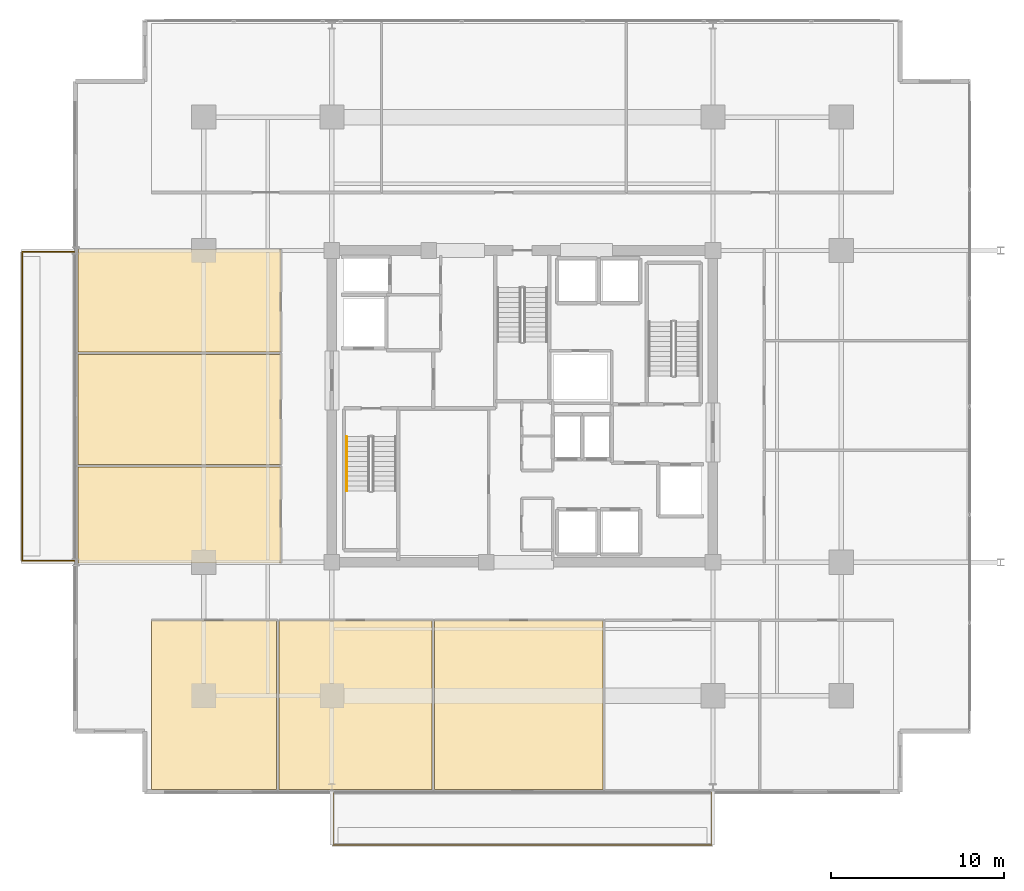
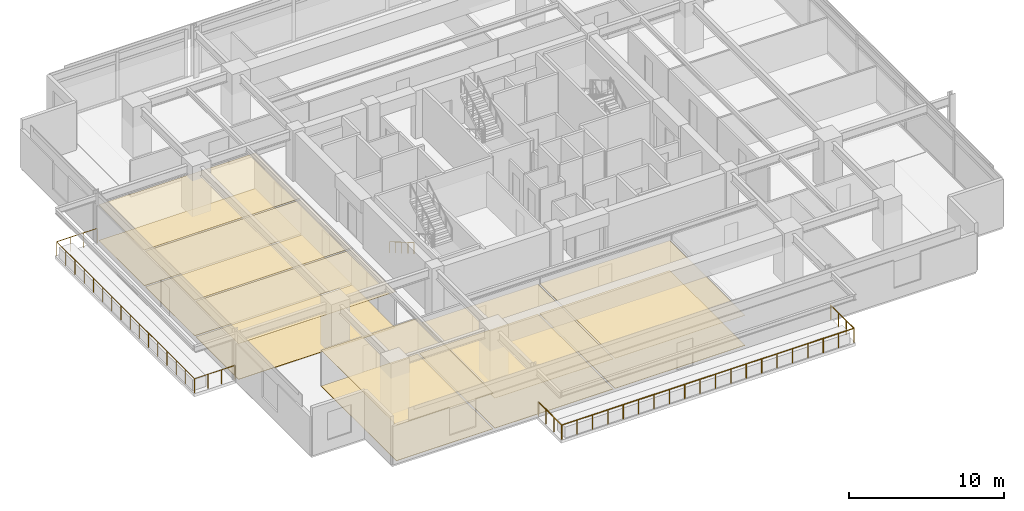
# One storey, part 18 of 22: 12 coverings, 3 railings.
"""IFC4 building model written with IfcOpenShell, lengths in metres."""

import ifcopenshell
import ifcopenshell.guid

model = None  # the IFC model being written
_history = None  # IfcOwnerHistory: only IFC2X3 demands one
_inside = {}  # id of a spatial element -> (the spatial element, [elements in it])
_under = {}  # id of a project, library or spatial element -> (it, [spatial elements below it])
_declared = {}  # id of a project -> (the project, [libraries it declares])
_typed = {}  # id of a type object -> (the type object, [elements of that type])
_made_of = {}  # id of a material, layer set ... -> (it, [elements and type objects made of it])


def new_model(schema):
    """Start an empty IFC model of exactly this schema.

    Asked for "IFC4X3", IfcOpenShell would pick the latest addendum, in which some entities
    have other attributes; the version numbers below select the first issue.
    IFC2X3 requires an IfcOwnerHistory on every rooted entity: one is made here for all.
    """
    global model, _history
    if schema == "IFC4X3":
        model = ifcopenshell.file(schema_version=(4, 3, 0, 0))
    else:
        model = ifcopenshell.file(schema=schema)
    _inside.clear()
    _under.clear()
    _declared.clear()
    _typed.clear()
    _made_of.clear()
    _history = None
    if model.schema == "IFC2X3":
        org = make("IfcOrganization", Name="unknown")
        user = make(
            "IfcPersonAndOrganization",
            ThePerson=make("IfcPerson", FamilyName="unknown"),
            TheOrganization=org,
        )
        app = make(
            "IfcApplication",
            ApplicationDeveloper=org,
            Version="unknown",
            ApplicationFullName="unknown",
            ApplicationIdentifier="unknown",
        )
        _history = make(
            "IfcOwnerHistory",
            OwningUser=user,
            OwningApplication=app,
            ChangeAction="ADDED",
            CreationDate=0,
        )
    return model


def make(cls, **values):
    """One entity of the class cls with the attributes given. An attribute that is None is left unset."""
    return model.create_entity(
        cls, **{name: value for name, value in values.items() if value is not None}
    )


def rooted(cls, **values):
    """An entity with a GlobalId (a new one), such as an element, a storey or a relation."""
    return make(cls, GlobalId=ifcopenshell.guid.new(), OwnerHistory=_history, **values)


def si_unit(unit_type, name, prefix=None):
    """IfcSIUnit, for example si_unit("LENGTHUNIT", "METRE", prefix="MILLI")."""
    return make("IfcSIUnit", UnitType=unit_type, Prefix=prefix, Name=name)


def assignment(units):
    """IfcUnitAssignment: the units of a project."""
    return None if units is None else make("IfcUnitAssignment", Units=units)


def point(xyz):
    """IfcCartesianPoint."""
    return None if xyz is None else make("IfcCartesianPoint", Coordinates=xyz)


def direction(xyz):
    """IfcDirection."""
    return None if xyz is None else make("IfcDirection", DirectionRatios=xyz)


def frame(location, z_axis=None, x_axis=None):
    """IfcAxis2Placement3D, a coordinate frame: its origin and axes. An axis left out is left unset."""
    return make(
        "IfcAxis2Placement3D",
        Location=point(location),
        Axis=direction(z_axis),
        RefDirection=direction(x_axis),
    )


def frame_2d(location, x_axis=None):
    """IfcAxis2Placement2D, a coordinate frame in the plane: its origin and x axis."""
    return make(
        "IfcAxis2Placement2D", Location=point(location), RefDirection=direction(x_axis)
    )


def origin():
    """The frame at (0, 0, 0) with its axes left unset."""
    return frame((0.0, 0.0, 0.0))


def origin_2d():
    """The frame at (0, 0) in the plane with its x axis left unset."""
    return frame_2d((0.0, 0.0))


def place(relative_to, where):
    """IfcLocalPlacement: puts the frame where relative to a parent placement (None: the world)."""
    return make(
        "IfcLocalPlacement", PlacementRelTo=relative_to, RelativePlacement=where
    )


def context(
    kind, dimensions, precision=None, world=None, true_north=None, identifier=None
):
    """IfcGeometricRepresentationContext, for example the 3D "Model" context."""
    return make(
        "IfcGeometricRepresentationContext",
        ContextIdentifier=identifier,
        ContextType=kind,
        CoordinateSpaceDimension=dimensions,
        Precision=precision,
        WorldCoordinateSystem=world,
        TrueNorth=true_north,
    )


def subcontext(parent, identifier, kind, view, scale=None):
    """IfcGeometricRepresentationSubContext, for example "Body" below "Model"."""
    return make(
        "IfcGeometricRepresentationSubContext",
        ContextIdentifier=identifier,
        ContextType=kind,
        ParentContext=parent,
        TargetScale=scale,
        TargetView=view,
    )


def project(units=None, contexts=None):
    """IfcProject with its units and contexts."""
    return rooted(
        "IfcProject",
        Name="project",
        RepresentationContexts=contexts,
        UnitsInContext=assignment(units),
    )


def spatial(cls, under=None, at=None, **own):
    """A site, building, storey or space (cls), placed at a placement, below another one or the project."""
    s = rooted(cls, ObjectPlacement=at, **own)
    if under is not None:
        _under.setdefault(under.id(), (under, []))[1].append(s)
    return s


def polyline(points):
    """IfcPolyline through the points."""
    return make("IfcPolyline", Points=[point(p) for p in points])


def profile(cls, at=None, kind="AREA", **sizes):
    """A parametric profile (cls). Its sizes go by their IFC names, for example OverallWidth=200.0."""
    return make(cls, ProfileType=kind, Position=at, **sizes)


def circle(**sizes):
    """IfcCircleProfileDef."""
    return profile("IfcCircleProfileDef", **sizes)


def outline(outer, holes=None, kind="AREA"):
    """IfcArbitraryClosedProfileDef: a profile drawn as a closed curve; with holes, ...WithVoids."""
    if holes is None:
        return make("IfcArbitraryClosedProfileDef", ProfileType=kind, OuterCurve=outer)
    return make(
        "IfcArbitraryProfileDefWithVoids",
        ProfileType=kind,
        OuterCurve=outer,
        InnerCurves=holes,
    )


def extrude(swept, where, along, depth):
    """IfcExtrudedAreaSolid: the profile swept, set in the frame where, extruded along a direction by depth."""
    return make(
        "IfcExtrudedAreaSolid",
        SweptArea=swept,
        Position=where,
        ExtrudedDirection=direction(along),
        Depth=depth,
    )


def shape(context_of_items, identifier, shape_type, items):
    """IfcShapeRepresentation: the items that make up one representation, for example the "Body"."""
    return make(
        "IfcShapeRepresentation",
        ContextOfItems=context_of_items,
        RepresentationIdentifier=identifier,
        RepresentationType=shape_type,
        Items=items,
    )


def material(Name=None, Category=None):
    """IfcMaterial."""
    return make("IfcMaterial", Name=Name, Category=Category)


def layer(
    of_material, thickness, ventilated=None, Name=None, Category=None, Priority=None
):
    """IfcMaterialLayer: one layer of a wall or slab, of a material (None: an air gap)."""
    return make(
        "IfcMaterialLayer",
        Material=of_material,
        LayerThickness=thickness,
        IsVentilated=ventilated,
        Name=Name,
        Category=Category,
        Priority=Priority,
    )


def layer_set(layers, Name=None):
    """IfcMaterialLayerSet."""
    return make("IfcMaterialLayerSet", MaterialLayers=layers, LayerSetName=Name)


def made_of(thing, what):
    """Note that an element or type object is made of a material, layer set ...; save() writes the relation."""
    if what is not None:
        _made_of.setdefault(what.id(), (what, []))[1].append(thing)
    return thing


def type_object(cls, material=None, **own):
    """A type object (cls), such as IfcWallType, which elements share."""
    return made_of(rooted(cls, **own), material)


def element(
    cls,
    number,
    at=None,
    inside=None,
    cuts=None,
    type_object=None,
    material=None,
    context=None,
    identifier="Body",
    shape_type=None,
    held_by="IfcProductDefinitionShape",
    body=None,
    shapes=None,
    **own,
):
    """One element of the class cls, such as IfcWall. Its Tag is "e" and its number.

    at: its placement. inside: the storey or other place that contains it. cuts: it is an
    opening in that element (IfcRelVoidsElement). A single representation is given by context,
    identifier, shape_type and body (its items); several are given by shapes. held_by: the class
    of the entity that holds the representations. save() writes the other relations.
    """
    e = rooted(cls, Tag="e%d" % number, ObjectPlacement=at, **own)
    if body is not None:
        shapes = [shape(context, identifier, shape_type, body)]
    if shapes is not None:
        e.Representation = make(held_by, Representations=shapes)
    if inside is not None:
        _inside.setdefault(inside.id(), (inside, []))[1].append(e)
    if cuts is not None:
        rooted(
            "IfcRelVoidsElement", RelatingBuildingElement=cuts, RelatedOpeningElement=e
        )
    if type_object is not None:
        _typed.setdefault(type_object.id(), (type_object, []))[1].append(e)
    return made_of(e, material)


def aggregate(whole, parts):
    """IfcRelAggregates: a whole, such as a stair, and the parts it consists of."""
    return rooted("IfcRelAggregates", RelatingObject=whole, RelatedObjects=parts)


def save(model, path):
    """Write the relations noted so far, then the file.

    IfcRelAggregates (storeys below a building ...), IfcRelContainedInSpatialStructure (elements
    in a storey), IfcRelDefinesByType, IfcRelAssociatesMaterial and IfcRelDeclares: one each for
    every whole, place, type object, material and project.
    """
    for whole, parts in _under.values():
        aggregate(whole, parts)
    for where, things in _inside.values():
        rooted(
            "IfcRelContainedInSpatialStructure",
            RelatedElements=things,
            RelatingStructure=where,
        )
    for kind, things in _typed.values():
        rooted("IfcRelDefinesByType", RelatedObjects=things, RelatingType=kind)
    for what, things in _made_of.values():
        rooted("IfcRelAssociatesMaterial", RelatedObjects=things, RelatingMaterial=what)
    for by, libraries in _declared.values():
        rooted("IfcRelDeclares", RelatingContext=by, RelatedDefinitions=libraries)
    model.write(path)


model = new_model("IFC4")

# Units and contexts
model_context = context("Model", 3, precision=1e-05, world=origin(), true_north=direction((0.0, 1.0)))
body_context = subcontext(model_context, "Body", "Model", "MODEL_VIEW")
ifc_project = project(units=[si_unit("LENGTHUNIT", "METRE"), si_unit("AREAUNIT", "SQUARE_METRE"), si_unit("VOLUMEUNIT", "CUBIC_METRE"), si_unit("PLANEANGLEUNIT", "RADIAN"), si_unit("MASSUNIT", "GRAM", prefix="KILO")], contexts=[model_context])

# Site, building, storey
site_placement = place(None, origin())
site = spatial("IfcSite", under=ifc_project, at=site_placement, CompositionType="ELEMENT")
building_placement = place(site_placement, origin())
building = spatial("IfcBuilding", under=site, at=building_placement, Name="Kovane Verandah Tower", CompositionType="ELEMENT")
storey_placement = place(building_placement, frame((0.0, 0.0, 225.199951171875)))
storey = spatial("IfcBuildingStorey", under=building, at=storey_placement, Name="L52", CompositionType="ELEMENT", Elevation=225.199951171875)

# Coverings
ifc_material_1 = material(Name="Perforated Acoustic Mineral-Fibre Ceiling Tile", Category="gypsum")
ifc_layer_1 = layer(ifc_material_1, 0.02490234375)
ifc_layer_set_1 = layer_set([ifc_layer_1], Name="Perforated Acoustic Mineral-Fibre Ceiling Tile")
covering_type_1 = type_object("IfcCoveringType", Name="CV-CEIL-25", PredefinedType="CEILING", material=ifc_layer_set_1)
covering_1_placement = place(storey_placement, frame((0.0, 0.0, 2.824951171875)))
element("IfcCovering", 1, at=covering_1_placement, inside=storey, type_object=covering_type_1, Name="L52 Breakout Pantry S1 Acoustic Ceiling", PredefinedType="CEILING", context=body_context, shape_type="SweptSolid", body=[
    extrude(outline(polyline([(18.59033203125, 5.393798828125), (25.799560546875, 5.393798828125), (25.799560546875, 15.14990234375), (18.59033203125, 15.14990234375), (18.59033203125, 5.393798828125)])), origin(), (0.0, 0.0, 1.0), 0.025146484375),
])
covering_2_placement = place(storey_placement, frame((0.0, 0.0, 2.380126953125)))
element("IfcCovering", 2, at=covering_2_placement, inside=storey, type_object=covering_type_1, Name="L52 Collaboration Hub S2 Acoustic Ceiling", PredefinedType="CEILING", context=body_context, shape_type="SweptSolid", body=[
    extrude(outline(polyline([(25.939697265625, 5.393798828125), (34.791748046875, 5.393798828125), (34.791748046875, 15.14990234375), (25.939697265625, 15.14990234375), (25.939697265625, 5.393798828125)])), origin(), (0.0, 0.0, 1.0), 0.02490234375),
])
covering_3_placement = place(storey_placement, frame((0.0, 0.0, 2.380126953125)))
element("IfcCovering", 3, at=covering_3_placement, inside=storey, type_object=covering_type_1, Name="L52 Document and Print Room S3 Acoustic Ceiling", PredefinedType="CEILING", context=body_context, shape_type="SweptSolid", body=[
    extrude(outline(polyline([(34.931640625, 5.393798828125), (44.64013671875, 5.393798828125), (44.64013671875, 15.14990234375), (34.931640625, 15.14990234375), (34.931640625, 5.393798828125)])), origin(), (0.0, 0.0, 1.0), 0.02490234375),
])
covering_4_placement = place(storey_placement, frame((0.0, 0.0, 2.824951171875)))
element("IfcCovering", 4, at=covering_4_placement, inside=storey, type_object=covering_type_1, Name="L52 Client Boardroom W1 Acoustic Ceiling", PredefinedType="CEILING", context=body_context, shape_type="SweptSolid", body=[
    extrude(outline(polyline([(14.34033203125, 18.449951171875), (26.050048828125, 18.449951171875), (26.050048828125, 23.990966796875), (14.34033203125, 23.990966796875), (14.34033203125, 18.449951171875)])), origin(), (0.0, 0.0, 1.0), 0.025146484375),
])
covering_5_placement = place(storey_placement, frame((0.0, 0.0, 2.824951171875)))
element("IfcCovering", 5, at=covering_5_placement, inside=storey, type_object=covering_type_1, Name="L52 Meeting Room W2 Acoustic Ceiling", PredefinedType="CEILING", context=body_context, shape_type="SweptSolid", body=[
    extrude(outline(polyline([(14.34033203125, 24.131103515625), (26.050048828125, 24.131103515625), (26.050048828125, 30.507080078125), (14.34033203125, 30.507080078125), (14.34033203125, 24.131103515625)])), origin(), (0.0, 0.0, 1.0), 0.025146484375),
])
covering_6_placement = place(storey_placement, frame((0.0, 0.0, 2.824951171875)))
element("IfcCovering", 6, at=covering_6_placement, inside=storey, type_object=covering_type_1, Name="L52 Focus Studio W3 Acoustic Ceiling", PredefinedType="CEILING", context=body_context, shape_type="SweptSolid", body=[
    extrude(outline(polyline([(14.34033203125, 30.64697265625), (26.050048828125, 30.64697265625), (26.050048828125, 36.550048828125), (14.34033203125, 36.550048828125), (14.34033203125, 30.64697265625)])), origin(), (0.0, 0.0, 1.0), 0.025146484375),
])
ifc_material_2 = material(Name="Polished Terrazzo and Raised-Access Carpet Tile Finish", Category="concrete")
ifc_layer_2 = layer(ifc_material_2, 0.030029296875)
ifc_layer_set_2 = layer_set([ifc_layer_2], Name="Polished Terrazzo and Raised-Access Carpet Tile Finish")
covering_type_2 = type_object("IfcCoveringType", Name="CV-FLOR-30", PredefinedType="FLOORING", material=ifc_layer_set_2)
covering_7_placement = place(storey_placement, origin())
element("IfcCovering", 7, at=covering_7_placement, inside=storey, type_object=covering_type_2, Name="L52 Breakout Pantry S1 Floor Finish", PredefinedType="FLOORING", context=body_context, shape_type="SweptSolid", body=[
    extrude(outline(polyline([(18.59033203125, 5.393798828125), (25.799560546875, 5.393798828125), (25.799560546875, 15.14990234375), (18.59033203125, 15.14990234375), (18.59033203125, 5.393798828125)])), origin(), (0.0, 0.0, 1.0), 0.030029296875),
])
covering_8_placement = place(storey_placement, origin())
element("IfcCovering", 8, at=covering_8_placement, inside=storey, type_object=covering_type_2, Name="L52 Collaboration Hub S2 Floor Finish", PredefinedType="FLOORING", context=body_context, shape_type="SweptSolid", body=[
    extrude(outline(polyline([(25.939697265625, 5.393798828125), (34.791748046875, 5.393798828125), (34.791748046875, 15.14990234375), (25.939697265625, 15.14990234375), (25.939697265625, 5.393798828125)])), origin(), (0.0, 0.0, 1.0), 0.030029296875),
])
covering_9_placement = place(storey_placement, origin())
element("IfcCovering", 9, at=covering_9_placement, inside=storey, type_object=covering_type_2, Name="L52 Document and Print Room S3 Floor Finish", PredefinedType="FLOORING", context=body_context, shape_type="SweptSolid", body=[
    extrude(outline(polyline([(34.931640625, 5.393798828125), (44.64013671875, 5.393798828125), (44.64013671875, 15.14990234375), (34.931640625, 15.14990234375), (34.931640625, 5.393798828125)])), origin(), (0.0, 0.0, 1.0), 0.030029296875),
])
covering_10_placement = place(storey_placement, origin())
element("IfcCovering", 10, at=covering_10_placement, inside=storey, type_object=covering_type_2, Name="L52 Client Boardroom W1 Floor Finish", PredefinedType="FLOORING", context=body_context, shape_type="SweptSolid", body=[
    extrude(outline(polyline([(14.34033203125, 18.449951171875), (26.050048828125, 18.449951171875), (26.050048828125, 23.990966796875), (14.34033203125, 23.990966796875), (14.34033203125, 18.449951171875)])), origin(), (0.0, 0.0, 1.0), 0.030029296875),
])
covering_11_placement = place(storey_placement, origin())
element("IfcCovering", 11, at=covering_11_placement, inside=storey, type_object=covering_type_2, Name="L52 Meeting Room W2 Floor Finish", PredefinedType="FLOORING", context=body_context, shape_type="SweptSolid", body=[
    extrude(outline(polyline([(14.34033203125, 24.131103515625), (26.050048828125, 24.131103515625), (26.050048828125, 30.507080078125), (14.34033203125, 30.507080078125), (14.34033203125, 24.131103515625)])), origin(), (0.0, 0.0, 1.0), 0.030029296875),
])
covering_12_placement = place(storey_placement, origin())
element("IfcCovering", 12, at=covering_12_placement, inside=storey, type_object=covering_type_2, Name="L52 Focus Studio W3 Floor Finish", PredefinedType="FLOORING", context=body_context, shape_type="SweptSolid", body=[
    extrude(outline(polyline([(14.34033203125, 30.64697265625), (26.050048828125, 30.64697265625), (26.050048828125, 36.550048828125), (14.34033203125, 36.550048828125), (14.34033203125, 30.64697265625)])), origin(), (0.0, 0.0, 1.0), 0.030029296875),
])

# Railings
ifc_material_3 = material(Name="Laminated Glass and Pale-Champagne Stainless Balustrade", Category="glass")
railing_type_1 = type_object("IfcRailingType", Name="RL-BAL-1150", PredefinedType="BALUSTRADE", material=ifc_material_3)
railing_1_placement = place(storey_placement, frame((29.080078125, 5.193603515625, 0.0)))
element("IfcRailing", 13, at=railing_1_placement, inside=storey, type_object=railing_type_1, Name="L52 S Verandah Glass Balustrade", PredefinedType="BALUSTRADE", context=body_context, shape_type="SweptSolid", body=[
    extrude(circle(Radius=0.02392578125, at=origin_2d()), frame((0.0, 0.0, 1.1259765625), z_axis=(0.0, -1.0, 0.0), x_axis=(1.0, 0.0, 0.0)), (0.0, 0.0, 1.0), 3.02001953125),
    extrude(circle(Radius=0.02392578125, at=origin_2d()), frame((0.0, -3.02001953125, 1.1259765625), z_axis=(1.0, 0.0, 0.0), x_axis=(0.0, 1.0, 0.0)), (0.0, 0.0, 1.0), 21.83984375),
    extrude(circle(Radius=0.02392578125, at=origin_2d()), frame((21.83984375, -3.02001953125, 1.1259765625), z_axis=(0.0, 1.0, 0.0), x_axis=(-1.0, 0.0, 0.0)), (0.0, 0.0, 1.0), 3.02001953125),
    extrude(circle(Radius=0.02099609375, at=origin_2d()), origin(), (0.0, 0.0, 1.0), 1.101806640625),
    extrude(circle(Radius=0.02099609375, at=origin_2d()), frame((0.0, -1.006591796875, 0.0)), (0.0, 0.0, 1.0), 1.101806640625),
    extrude(circle(Radius=0.02099609375, at=origin_2d()), frame((0.0, -2.013427734375, 0.0)), (0.0, 0.0, 1.0), 1.101806640625),
    extrude(circle(Radius=0.02099609375, at=origin_2d()), frame((0.0, -3.02001953125, 0.0)), (0.0, 0.0, 1.0), 1.101806640625),
    extrude(circle(Radius=0.02099609375, at=origin_2d()), frame((1.1494140625, -3.02001953125, 0.0)), (0.0, 0.0, 1.0), 1.101806640625),
    extrude(circle(Radius=0.02099609375, at=origin_2d()), frame((2.298828125, -3.02001953125, 0.0)), (0.0, 0.0, 1.0), 1.101806640625),
    extrude(circle(Radius=0.02099609375, at=origin_2d()), frame((3.448486328125, -3.02001953125, 0.0)), (0.0, 0.0, 1.0), 1.101806640625),
    extrude(circle(Radius=0.02099609375, at=origin_2d()), frame((4.597900390625, -3.02001953125, 0.0)), (0.0, 0.0, 1.0), 1.101806640625),
    extrude(circle(Radius=0.02099609375, at=origin_2d()), frame((5.747314453125, -3.02001953125, 0.0)), (0.0, 0.0, 1.0), 1.101806640625),
    extrude(circle(Radius=0.02099609375, at=origin_2d()), frame((6.896728515625, -3.02001953125, 0.0)), (0.0, 0.0, 1.0), 1.101806640625),
    extrude(circle(Radius=0.02099609375, at=origin_2d()), frame((8.046142578125, -3.02001953125, 0.0)), (0.0, 0.0, 1.0), 1.101806640625),
    extrude(circle(Radius=0.02099609375, at=origin_2d()), frame((9.19580078125, -3.02001953125, 0.0)), (0.0, 0.0, 1.0), 1.101806640625),
    extrude(circle(Radius=0.02099609375, at=origin_2d()), frame((10.34521484375, -3.02001953125, 0.0)), (0.0, 0.0, 1.0), 1.101806640625),
    extrude(circle(Radius=0.02099609375, at=origin_2d()), frame((11.49462890625, -3.02001953125, 0.0)), (0.0, 0.0, 1.0), 1.101806640625),
    extrude(circle(Radius=0.02099609375, at=origin_2d()), frame((12.64404296875, -3.02001953125, 0.0)), (0.0, 0.0, 1.0), 1.101806640625),
    extrude(circle(Radius=0.02099609375, at=origin_2d()), frame((13.793701171875, -3.02001953125, 0.0)), (0.0, 0.0, 1.0), 1.101806640625),
    extrude(circle(Radius=0.02099609375, at=origin_2d()), frame((14.943115234375, -3.02001953125, 0.0)), (0.0, 0.0, 1.0), 1.101806640625),
    extrude(circle(Radius=0.02099609375, at=origin_2d()), frame((16.092529296875, -3.02001953125, 0.0)), (0.0, 0.0, 1.0), 1.101806640625),
    extrude(circle(Radius=0.02099609375, at=origin_2d()), frame((17.241943359375, -3.02001953125, 0.0)), (0.0, 0.0, 1.0), 1.101806640625),
    extrude(circle(Radius=0.02099609375, at=origin_2d()), frame((18.391357421875, -3.02001953125, 0.0)), (0.0, 0.0, 1.0), 1.101806640625),
    extrude(circle(Radius=0.02099609375, at=origin_2d()), frame((19.541015625, -3.02001953125, 0.0)), (0.0, 0.0, 1.0), 1.101806640625),
    extrude(circle(Radius=0.02099609375, at=origin_2d()), frame((20.6904296875, -3.02001953125, 0.0)), (0.0, 0.0, 1.0), 1.101806640625),
    extrude(circle(Radius=0.02099609375, at=origin_2d()), frame((21.83984375, -3.02001953125, 0.0)), (0.0, 0.0, 1.0), 1.101806640625),
    extrude(circle(Radius=0.02099609375, at=origin_2d()), frame((21.83984375, -2.013427734375, 0.0)), (0.0, 0.0, 1.0), 1.101806640625),
    extrude(circle(Radius=0.02099609375, at=origin_2d()), frame((21.83984375, -1.006591796875, 0.0)), (0.0, 0.0, 1.0), 1.101806640625),
    extrude(circle(Radius=0.02099609375, at=origin_2d()), frame((21.83984375, 0.0, 0.0)), (0.0, 0.0, 1.0), 1.101806640625),
])
railing_2_placement = place(storey_placement, frame((14.140380859375, 18.580078125, 0.0)))
element("IfcRailing", 14, at=railing_2_placement, inside=storey, type_object=railing_type_1, Name="L52 W Verandah Glass Balustrade", PredefinedType="BALUSTRADE", context=body_context, shape_type="SweptSolid", body=[
    extrude(circle(Radius=0.02392578125, at=origin_2d()), frame((0.0, 0.0, 1.1259765625), z_axis=(-1.0, 0.0, 0.0), x_axis=(0.0, -1.0, 0.0)), (0.0, 0.0, 1.0), 3.02001953125),
    extrude(circle(Radius=0.02392578125, at=origin_2d()), frame((-3.02001953125, 0.0, 1.1259765625), z_axis=(0.0, 1.0, 0.0), x_axis=(-1.0, 0.0, 0.0)), (0.0, 0.0, 1.0), 17.83984375),
    extrude(circle(Radius=0.02392578125, at=origin_2d()), frame((-3.02001953125, 17.83984375, 1.1259765625), z_axis=(1.0, 0.0, 0.0), x_axis=(0.0, 1.0, 0.0)), (0.0, 0.0, 1.0), 3.02001953125),
    extrude(circle(Radius=0.02099609375, at=origin_2d()), origin(), (0.0, 0.0, 1.0), 1.101806640625),
    extrude(circle(Radius=0.02099609375, at=origin_2d()), frame((-1.006591796875, 0.0, 0.0)), (0.0, 0.0, 1.0), 1.101806640625),
    extrude(circle(Radius=0.02099609375, at=origin_2d()), frame((-2.013427734375, 0.0, 0.0)), (0.0, 0.0, 1.0), 1.101806640625),
    extrude(circle(Radius=0.02099609375, at=origin_2d()), frame((-3.02001953125, 0.0, 0.0)), (0.0, 0.0, 1.0), 1.101806640625),
    extrude(circle(Radius=0.02099609375, at=origin_2d()), frame((-3.02001953125, 1.189208984375, 0.0)), (0.0, 0.0, 1.0), 1.101806640625),
    extrude(circle(Radius=0.02099609375, at=origin_2d()), frame((-3.02001953125, 2.378662109375, 0.0)), (0.0, 0.0, 1.0), 1.101806640625),
    extrude(circle(Radius=0.02099609375, at=origin_2d()), frame((-3.02001953125, 3.56787109375, 0.0)), (0.0, 0.0, 1.0), 1.101806640625),
    extrude(circle(Radius=0.02099609375, at=origin_2d()), frame((-3.02001953125, 4.75732421875, 0.0)), (0.0, 0.0, 1.0), 1.101806640625),
    extrude(circle(Radius=0.02099609375, at=origin_2d()), frame((-3.02001953125, 5.946533203125, 0.0)), (0.0, 0.0, 1.0), 1.101806640625),
    extrude(circle(Radius=0.02099609375, at=origin_2d()), frame((-3.02001953125, 7.135986328125, 0.0)), (0.0, 0.0, 1.0), 1.101806640625),
    extrude(circle(Radius=0.02099609375, at=origin_2d()), frame((-3.02001953125, 8.3251953125, 0.0)), (0.0, 0.0, 1.0), 1.101806640625),
    extrude(circle(Radius=0.02099609375, at=origin_2d()), frame((-3.02001953125, 9.5146484375, 0.0)), (0.0, 0.0, 1.0), 1.101806640625),
    extrude(circle(Radius=0.02099609375, at=origin_2d()), frame((-3.02001953125, 10.703857421875, 0.0)), (0.0, 0.0, 1.0), 1.101806640625),
    extrude(circle(Radius=0.02099609375, at=origin_2d()), frame((-3.02001953125, 11.893310546875, 0.0)), (0.0, 0.0, 1.0), 1.101806640625),
    extrude(circle(Radius=0.02099609375, at=origin_2d()), frame((-3.02001953125, 13.08251953125, 0.0)), (0.0, 0.0, 1.0), 1.101806640625),
    extrude(circle(Radius=0.02099609375, at=origin_2d()), frame((-3.02001953125, 14.27197265625, 0.0)), (0.0, 0.0, 1.0), 1.101806640625),
    extrude(circle(Radius=0.02099609375, at=origin_2d()), frame((-3.02001953125, 15.461181640625, 0.0)), (0.0, 0.0, 1.0), 1.101806640625),
    extrude(circle(Radius=0.02099609375, at=origin_2d()), frame((-3.02001953125, 16.650634765625, 0.0)), (0.0, 0.0, 1.0), 1.101806640625),
    extrude(circle(Radius=0.02099609375, at=origin_2d()), frame((-3.02001953125, 17.83984375, 0.0)), (0.0, 0.0, 1.0), 1.101806640625),
    extrude(circle(Radius=0.02099609375, at=origin_2d()), frame((-2.013427734375, 17.83984375, 0.0)), (0.0, 0.0, 1.0), 1.101806640625),
    extrude(circle(Radius=0.02099609375, at=origin_2d()), frame((-1.006591796875, 17.83984375, 0.0)), (0.0, 0.0, 1.0), 1.101806640625),
    extrude(circle(Radius=0.02099609375, at=origin_2d()), frame((0.0, 17.83984375, 0.0)), (0.0, 0.0, 1.0), 1.101806640625),
])
ifc_material_4 = material(Name="Brushed Stainless Steel Handrail", Category="steel")
railing_type_2 = type_object("IfcRailingType", Name="RL-HAND-920", PredefinedType="HANDRAIL", material=ifc_material_4)
railing_3_placement = place(storey_placement, frame((29.85009765625, 25.75, 0.166748046875)))
element("IfcRailing", 15, at=railing_3_placement, inside=storey, type_object=railing_type_2, Name="L52 ST-01 stair handrail 1", PredefinedType="HANDRAIL", context=body_context, shape_type="SweptSolid", body=[
    extrude(circle(Radius=0.02392578125, at=origin_2d()), frame((0.0, 0.0, 0.8759765625), z_axis=(0.0, -0.863239559939, 0.504794475164), x_axis=(1.0, 0.0, 0.0)), (0.0, 0.0, 1.0), 3.631591796875),
    extrude(circle(Radius=0.02099609375, at=origin_2d()), origin(), (0.0, 0.0, 1.0), 0.851806640625),
    extrude(circle(Radius=0.02099609375, at=origin_2d()), frame((0.0, -0.78369140625, 0.458251953125)), (0.0, 0.0, 1.0), 0.851806640625),
    extrude(circle(Radius=0.02099609375, at=origin_2d()), frame((0.0, -1.5673828125, 0.91650390625)), (0.0, 0.0, 1.0), 0.851806640625),
    extrude(circle(Radius=0.02099609375, at=origin_2d()), frame((0.0, -2.351318359375, 1.375)), (0.0, 0.0, 1.0), 0.851806640625),
    extrude(circle(Radius=0.02099609375, at=origin_2d()), frame((0.0, -3.135009765625, 1.833251953125)), (0.0, 0.0, 1.0), 0.851806640625),
])

save(model, "model.ifc")
